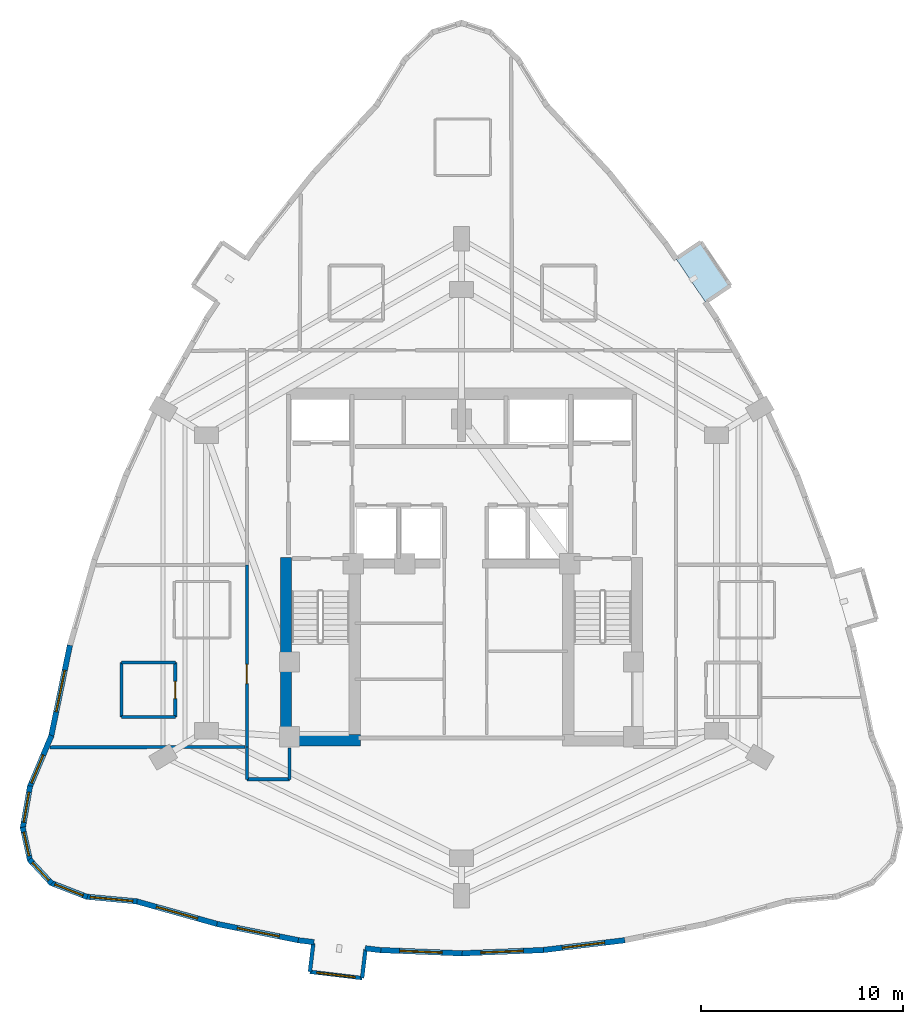
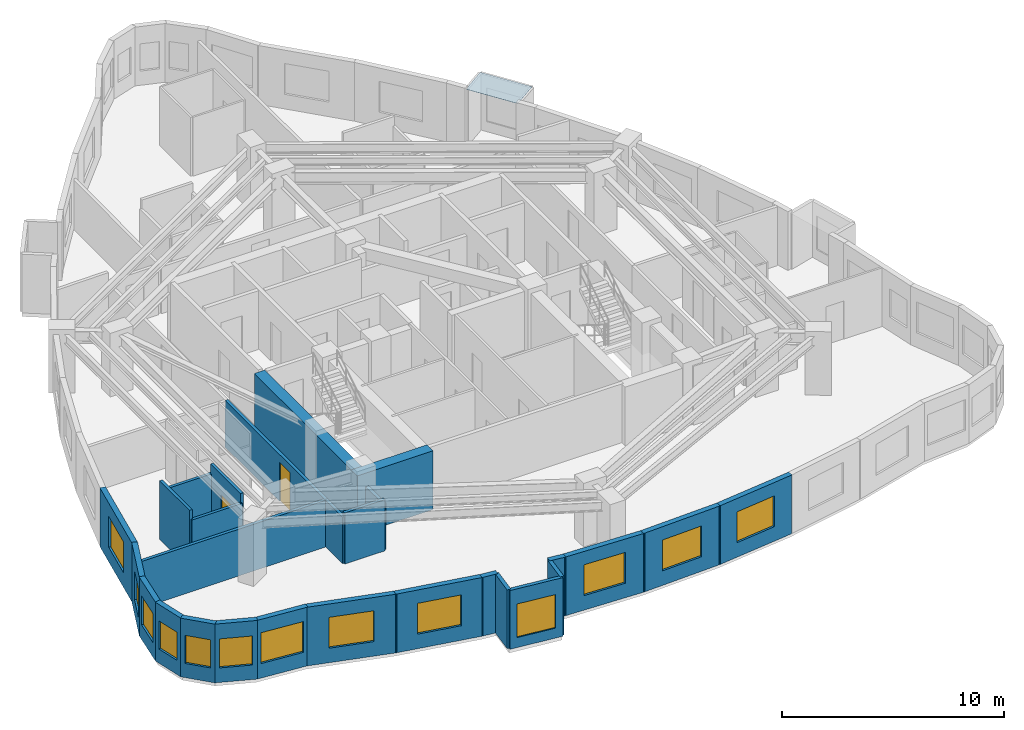
# One storey, part 3 of 9: 28 walls, 13 windows, 2 doors, 1 plate, 15 openings.
"""IFC4 building model written with IfcOpenShell, lengths in metres."""

from ifc_helpers import new_model, si_unit, direction, frame, frame_2d, origin, place, context, subcontext, project, spatial, polyline, rectangle, outline, extrude, material, layer, layer_set, type_object, element, fill, save


model = new_model("IFC4")

# Units and contexts
model_context = context("Model", 3, precision=1e-05, world=origin(), true_north=direction((0.0, 1.0)))
body_context = subcontext(model_context, "Body", "Model", "MODEL_VIEW")
ifc_project = project(units=[si_unit("LENGTHUNIT", "METRE"), si_unit("AREAUNIT", "SQUARE_METRE"), si_unit("VOLUMEUNIT", "CUBIC_METRE"), si_unit("PLANEANGLEUNIT", "RADIAN"), si_unit("MASSUNIT", "GRAM", prefix="KILO")], contexts=[model_context])

# Site, building, storey
site_placement = place(None, origin())
site = spatial("IfcSite", under=ifc_project, at=site_placement, CompositionType="ELEMENT")
building_placement = place(site_placement, origin())
building = spatial("IfcBuilding", under=site, at=building_placement, Name="Miruveldt Soraemaru", CompositionType="ELEMENT")
storey_placement = place(building_placement, frame((0.0, 0.0, 138.89990234375)))
storey = spatial("IfcBuildingStorey", under=building, at=storey_placement, Name="L38", CompositionType="ELEMENT", Elevation=138.89990234375)

# Plate
ifc_material_1 = material(Name="Standing-seam titanium-zinc sheet", Category="aluminium")
ifc_layer_1 = layer(ifc_material_1, 0.011962890625, Name="Standing-seam titanium-zinc sheet", Category="aluminium")
ifc_layer_set_1 = layer_set([ifc_layer_1], Name="Standing-seam titanium-zinc sheet")
plate_type = type_object("IfcPlateType", Name="PLT-ZINC-12", PredefinedType="SHEET", material=ifc_layer_set_1)
plate_placement = place(storey_placement, frame((0.0, 0.0, 3.085205078125)))
element("IfcPlate", 1, at=plate_placement, inside=storey, type_object=plate_type, Name="L38 Bay Window Zinc Hood Sheet 3", PredefinedType="SHEET", context=body_context, shape_type="SweptSolid", body=[
    extrude(outline(polyline([(56.0625, 56.968017578125), (54.604248046875, 59.120849609375), (55.82958984375, 59.95068359375), (57.28759765625, 57.798095703125), (56.0625, 56.968017578125)])), origin(), (0.0, 0.0, 1.0), 0.011962890625),
])

# Walls
ifc_material_2 = material(Name="White powder-coated aluminium EN AW-6060 T6", Category="aluminium")
ifc_layer_2 = layer(ifc_material_2, 0.18994140625, Name="White powder-coated aluminium EN AW-6060 T6", Category="aluminium")
ifc_layer_set_2 = layer_set([ifc_layer_2], Name="White powder-coated aluminium EN AW-6060 T6")
wall_type_1 = type_object("IfcWallType", Name="WALL-BAY-ALU190", PredefinedType="SOLIDWALL", material=ifc_layer_set_2)
for number, where, z_axis, x_axis, name in (
    (2, (36.677734375, 25.29931640625, 0.0), (0.0, 0.0, 1.0), (-0.119057405757, -0.992887372331, 0.0), "L38 Bay Window Side Cheek 1L"),
    (3, (39.089599609375, 23.574462890625, 0.0), (0.0, 0.0, 1.0), (0.119057405757, 0.992887372331, 0.0), "L38 Bay Window Side Cheek 1R"),
):
    element("IfcWall", number, at=place(storey_placement, frame(where, z_axis=z_axis, x_axis=x_axis)), inside=storey, type_object=wall_type_1, Name=name, PredefinedType="SOLIDWALL", context=body_context, shape_type="SweptSolid", body=[
        extrude(rectangle(XDim=1.42529296875, YDim=0.18994140625, at=frame_2d((0.712646484375, 0.0))), origin(), (0.0, 0.0, 1.0), 3.235107421875),
    ])

# Wall, opening, window
wall_1_placement = place(storey_placement, frame((36.508056640625, 23.88427734375, 0.0), z_axis=(0.0, 0.0, 1.0), x_axis=(0.99287550549, -0.119156328397, 0.0)))
wall_1 = element("IfcWall", 4, at=wall_1_placement, inside=storey, type_object=wall_type_1, Name="L38 Bay Window Front Frame 1", PredefinedType="SOLIDWALL", context=body_context, shape_type="SweptSolid", body=[
    extrude(rectangle(XDim=2.60009765625, YDim=0.18994140625, at=frame_2d((1.300048828125, 0.0))), origin(), (0.0, 0.0, 1.0), 3.235107421875),
])
opening_1_placement = place(wall_1_placement, frame((0.35009765625, 0.0, 0.550048828125)))
opening_1 = element("IfcOpeningElement", 5, at=opening_1_placement, cuts=wall_1, Name="Opening WN-6", PredefinedType="OPENING", context=body_context, shape_type="SweptSolid", body=[
    extrude(rectangle(XDim=1.89990234375, YDim=1.85009765625, at=frame_2d((0.949951171875, 0.925048828125))), frame((0.0, 0.10498046875, 0.0), z_axis=(0.0, -1.0, 0.0), x_axis=(1.0, 0.0, 0.0)), (0.0, 0.0, 1.0), 0.2099609375),
])
ifc_material_3 = material(Name="Triple low-e insulated glazing", Category="glass")
window_type_1 = type_object("IfcWindowType", Name="WIN-BAYW-1900x1850", PartitioningType="SINGLE_PANEL", PredefinedType="WINDOW", material=ifc_material_3)
window_1_placement = place(opening_1_placement, origin())
window_1 = element("IfcWindow", 6, at=window_1_placement, inside=storey, type_object=window_type_1, Name="L38 Projecting Bay Window 1", OverallHeight=1.85009765625, OverallWidth=1.89990234375, PartitioningType="SINGLE_PANEL", PredefinedType="WINDOW", context=body_context, shape_type="SweptSolid", body=[
    extrude(rectangle(XDim=1.89990234375, YDim=1.85009765625, at=frame_2d((0.949951171875, 0.925048828125))), frame((0.0, 0.030029296875, 0.0), z_axis=(0.0, -1.0, 0.0), x_axis=(1.0, 0.0, 0.0)), (0.0, 0.0, 1.0), 0.06005859375),
])
fill(opening_1, window_1)

# Walls
ifc_material_4 = material(Name="Concrete C70/85 (70 MPa)", Category="concrete")
ifc_layer_3 = layer(ifc_material_4, 0.550048828125, Name="Concrete C70/85 (70 MPa)", Category="concrete")
ifc_layer_set_3 = layer_set([ifc_layer_3], Name="Concrete C70/85 (70 MPa)")
wall_type_2 = type_object("IfcWallType", Name="WALL-CW-550", PredefinedType="SHEAR", material=ifc_layer_set_3)
wall_2_placement = place(storey_placement, frame((35.050048828125, 35.324951171875, 0.0), z_axis=(0.0, 0.0, 1.0), x_axis=(1.0, 0.0, 0.0)))
element("IfcWall", 7, at=wall_2_placement, inside=storey, type_object=wall_type_2, Name="L38 Central Core Shear Wall S1", PredefinedType="SHEAR", context=body_context, shape_type="SweptSolid", body=[
    extrude(rectangle(XDim=3.949951171875, YDim=0.550048828125, at=frame_2d((1.97509765625, 0.0))), origin(), (0.0, 0.0, 1.0), 3.235107421875),
])
wall_3_placement = place(storey_placement, frame((35.324951171875, 35.050048828125, 0.0), z_axis=(0.0, 0.0, 1.0), x_axis=(0.0, 1.0, 0.0)))
element("IfcWall", 8, at=wall_3_placement, inside=storey, type_object=wall_type_2, Name="L38 Central Core Shear Wall W1", PredefinedType="SHEAR", context=body_context, shape_type="SweptSolid", body=[
    extrude(rectangle(XDim=9.300048828125, YDim=0.550048828125, at=frame_2d((4.64990234375, 0.0))), origin(), (0.0, 0.0, 1.0), 3.235107421875),
])

# Wall, opening, window
ifc_material_5 = material(Name="Precast concrete C45/55 (45 MPa)", Category="concrete")
ifc_layer_4 = layer(ifc_material_5, 0.27001953125, Name="Precast concrete C45/55 (45 MPa)", Category="concrete")
ifc_layer_set_4 = layer_set([ifc_layer_4], Name="Precast concrete C45/55 (45 MPa)")
wall_type_3 = type_object("IfcWallType", Name="WALL-EXT-PC270", PredefinedType="SOLIDWALL", material=ifc_layer_set_4)
wall_4_placement = place(storey_placement, frame((24.6494140625, 40.02490234375, 0.0), z_axis=(0.0, 0.0, 1.0), x_axis=(-0.201588826085, -0.979470237015, 0.0)))
wall_4 = element("IfcWall", 9, at=wall_4_placement, inside=storey, type_object=wall_type_3, Name="L38 Precast Concrete Facade Wall 14", PredefinedType="SOLIDWALL", context=body_context, shape_type="SweptSolid", body=[
    extrude(rectangle(XDim=4.62158203125, YDim=0.27001953125, at=frame_2d((2.310791015625, 0.0))), origin(), (0.0, 0.0, 1.0), 3.235107421875),
])
opening_2_placement = place(wall_4_placement, frame((1.260986328125, 0.0, 0.800048828125)))
opening_2 = element("IfcOpeningElement", 10, at=opening_2_placement, cuts=wall_4, Name="Opening WN-1", PredefinedType="OPENING", context=body_context, shape_type="SweptSolid", body=[
    extrude(rectangle(XDim=2.10009765625, YDim=1.699951171875, at=frame_2d((1.050048828125, 0.85009765625))), frame((0.0, 0.14501953125, 0.0), z_axis=(0.0, -1.0, 0.0), x_axis=(1.0, 0.0, 0.0)), (0.0, 0.0, 1.0), 0.2900390625),
])
window_type_2 = type_object("IfcWindowType", Name="WIN-PUNCH-2100x1700", PartitioningType="SINGLE_PANEL", PredefinedType="WINDOW", material=ifc_material_3)
window_2_placement = place(opening_2_placement, origin())
window_2 = element("IfcWindow", 11, at=window_2_placement, inside=storey, type_object=window_type_2, Name="L38 Punched Triple-Glazed Window 14.1", OverallHeight=1.699951171875, OverallWidth=2.10009765625, PartitioningType="SINGLE_PANEL", PredefinedType="WINDOW", context=body_context, shape_type="SweptSolid", body=[
    extrude(rectangle(XDim=2.10009765625, YDim=1.699951171875, at=frame_2d((1.050048828125, 0.85009765625))), frame((0.0, 0.030029296875, 0.0), z_axis=(0.0, -1.0, 0.0), x_axis=(1.0, 0.0, 0.0)), (0.0, 0.0, 1.0), 0.06005859375),
])
fill(opening_2, window_2)

wall_5_placement = place(storey_placement, frame((23.73828125, 35.564697265625, 0.0), z_axis=(0.0, 0.0, 1.0), x_axis=(-0.38861888623, -0.921398589789, 0.0)))
wall_5 = element("IfcWall", 12, at=wall_5_placement, inside=storey, type_object=wall_type_3, Name="L38 Precast Concrete Facade Wall 15", PredefinedType="SOLIDWALL", context=body_context, shape_type="SweptSolid", body=[
    extrude(rectangle(XDim=2.77734375, YDim=0.27001953125, at=frame_2d((1.388671875, 0.0))), origin(), (0.0, 0.0, 1.0), 3.235107421875),
])
opening_3_placement = place(wall_5_placement, frame((1.047119140625, 0.0, 0.800048828125)))
opening_3 = element("IfcOpeningElement", 13, at=opening_3_placement, cuts=wall_5, Name="Opening WN-3", PredefinedType="OPENING", context=body_context, shape_type="SweptSolid", body=[
    extrude(rectangle(XDim=1.5, YDim=1.60009765625, at=frame_2d((0.75, 0.800048828125))), frame((0.0, 0.14501953125, 0.0), z_axis=(0.0, -1.0, 0.0), x_axis=(1.0, 0.0, 0.0)), (0.0, 0.0, 1.0), 0.2900390625),
])
window_type_3 = type_object("IfcWindowType", Name="WIN-PUNCH-1500x1600", PartitioningType="SINGLE_PANEL", PredefinedType="WINDOW", material=ifc_material_3)
window_3_placement = place(opening_3_placement, origin())
window_3 = element("IfcWindow", 14, at=window_3_placement, inside=storey, type_object=window_type_3, Name="L38 Punched Triple-Glazed Window 15.1", OverallHeight=1.60009765625, OverallWidth=1.5, PartitioningType="SINGLE_PANEL", PredefinedType="WINDOW", context=body_context, shape_type="SweptSolid", body=[
    extrude(rectangle(XDim=1.5, YDim=1.60009765625, at=frame_2d((0.75, 0.800048828125))), frame((0.0, 0.030029296875, 0.0), z_axis=(0.0, -1.0, 0.0), x_axis=(1.0, 0.0, 0.0)), (0.0, 0.0, 1.0), 0.06005859375),
])
fill(opening_3, window_3)

wall_6_placement = place(storey_placement, frame((22.678466796875, 33.072265625, 0.0), z_axis=(0.0, 0.0, 1.0), x_axis=(-0.169334105823, -0.985558704799, 0.0)))
wall_6 = element("IfcWall", 15, at=wall_6_placement, inside=storey, type_object=wall_type_3, Name="L38 Precast Concrete Facade Wall 16", PredefinedType="SOLIDWALL", context=body_context, shape_type="SweptSolid", body=[
    extrude(rectangle(XDim=2.14111328125, YDim=0.27001953125, at=frame_2d((1.070556640625, 0.0))), origin(), (0.0, 0.0, 1.0), 3.235107421875),
])
opening_4_placement = place(wall_6_placement, frame((0.321044921875, 0.0, 0.800048828125)))
opening_4 = element("IfcOpeningElement", 16, at=opening_4_placement, cuts=wall_6, Name="Opening WN-3", PredefinedType="OPENING", context=body_context, shape_type="SweptSolid", body=[
    extrude(rectangle(XDim=1.5, YDim=1.60009765625, at=frame_2d((0.75, 0.800048828125))), frame((0.0, 0.14501953125, 0.0), z_axis=(0.0, -1.0, 0.0), x_axis=(1.0, 0.0, 0.0)), (0.0, 0.0, 1.0), 0.2900390625),
])
window_4_placement = place(opening_4_placement, origin())
window_4 = element("IfcWindow", 17, at=window_4_placement, inside=storey, type_object=window_type_3, Name="L38 Punched Triple-Glazed Window 16.1", OverallHeight=1.60009765625, OverallWidth=1.5, PartitioningType="SINGLE_PANEL", PredefinedType="WINDOW", context=body_context, shape_type="SweptSolid", body=[
    extrude(rectangle(XDim=1.5, YDim=1.60009765625, at=frame_2d((0.75, 0.800048828125))), frame((0.0, 0.030029296875, 0.0), z_axis=(0.0, -1.0, 0.0), x_axis=(1.0, 0.0, 0.0)), (0.0, 0.0, 1.0), 0.06005859375),
])
fill(opening_4, window_4)

wall_7_placement = place(storey_placement, frame((22.314453125, 31.03076171875, 0.0), z_axis=(0.0, 0.0, 1.0), x_axis=(0.215649887065, -0.976470750309, 0.0)))
wall_7 = element("IfcWall", 18, at=wall_7_placement, inside=storey, type_object=wall_type_3, Name="L38 Precast Concrete Facade Wall 17", PredefinedType="SOLIDWALL", context=body_context, shape_type="SweptSolid", body=[
    extrude(rectangle(XDim=1.69580078125, YDim=0.27001953125, at=frame_2d((0.847900390625, 0.0))), origin(), (0.0, 0.0, 1.0), 3.235107421875),
])
opening_5_placement = place(wall_7_placement, frame((0.248046875, 0.0, 0.780029296875)))
opening_5 = element("IfcOpeningElement", 19, at=opening_5_placement, cuts=wall_7, Name="Opening WN-4", PredefinedType="OPENING", context=body_context, shape_type="SweptSolid", body=[
    extrude(rectangle(XDim=1.199951171875, YDim=1.550048828125, at=frame_2d((0.60009765625, 0.77490234375))), frame((0.0, 0.14501953125, 0.0), z_axis=(0.0, -1.0, 0.0), x_axis=(1.0, 0.0, 0.0)), (0.0, 0.0, 1.0), 0.2900390625),
])
window_type_4 = type_object("IfcWindowType", Name="WIN-PUNCH-1200x1550", PartitioningType="SINGLE_PANEL", PredefinedType="WINDOW", material=ifc_material_3)
window_5_placement = place(opening_5_placement, origin())
window_5 = element("IfcWindow", 20, at=window_5_placement, inside=storey, type_object=window_type_4, Name="L38 Punched Triple-Glazed Window 17.1", OverallHeight=1.550048828125, OverallWidth=1.199951171875, PartitioningType="SINGLE_PANEL", PredefinedType="WINDOW", context=body_context, shape_type="SweptSolid", body=[
    extrude(rectangle(XDim=1.199951171875, YDim=1.550048828125, at=frame_2d((0.60009765625, 0.77490234375))), frame((0.0, 0.030029296875, 0.0), z_axis=(0.0, -1.0, 0.0), x_axis=(1.0, 0.0, 0.0)), (0.0, 0.0, 1.0), 0.06005859375),
])
fill(opening_5, window_5)

wall_8_placement = place(storey_placement, frame((22.648681640625, 29.434814453125, 0.0), z_axis=(0.0, 0.0, 1.0), x_axis=(0.680115173662, -0.733105279312, 0.0)))
wall_8 = element("IfcWall", 21, at=wall_8_placement, inside=storey, type_object=wall_type_3, Name="L38 Precast Concrete Facade Wall 18", PredefinedType="SOLIDWALL", context=body_context, shape_type="SweptSolid", body=[
    extrude(rectangle(XDim=1.6171875, YDim=0.27001953125, at=frame_2d((0.80859375, 0.0))), origin(), (0.0, 0.0, 1.0), 3.235107421875),
])
opening_6_placement = place(wall_8_placement, frame((0.208984375, 0.0, 0.780029296875)))
opening_6 = element("IfcOpeningElement", 22, at=opening_6_placement, cuts=wall_8, Name="Opening WN-4", PredefinedType="OPENING", context=body_context, shape_type="SweptSolid", body=[
    extrude(rectangle(XDim=1.199951171875, YDim=1.550048828125, at=frame_2d((0.60009765625, 0.77490234375))), frame((0.0, 0.14501953125, 0.0), z_axis=(0.0, -1.0, 0.0), x_axis=(1.0, 0.0, 0.0)), (0.0, 0.0, 1.0), 0.2900390625),
])
window_6_placement = place(opening_6_placement, origin())
window_6 = element("IfcWindow", 23, at=window_6_placement, inside=storey, type_object=window_type_4, Name="L38 Punched Triple-Glazed Window 18.1", OverallHeight=1.550048828125, OverallWidth=1.199951171875, PartitioningType="SINGLE_PANEL", PredefinedType="WINDOW", context=body_context, shape_type="SweptSolid", body=[
    extrude(rectangle(XDim=1.199951171875, YDim=1.550048828125, at=frame_2d((0.60009765625, 0.77490234375))), frame((0.0, 0.030029296875, 0.0), z_axis=(0.0, -1.0, 0.0), x_axis=(1.0, 0.0, 0.0)), (0.0, 0.0, 1.0), 0.06005859375),
])
fill(opening_6, window_6)

wall_9_placement = place(storey_placement, frame((23.692138671875, 28.28759765625, 0.0), z_axis=(0.0, 0.0, 1.0), x_axis=(0.932267447774, -0.361769824364, 0.0)))
wall_9 = element("IfcWall", 24, at=wall_9_placement, inside=storey, type_object=wall_type_3, Name="L38 Precast Concrete Facade Wall 19", PredefinedType="SOLIDWALL", context=body_context, shape_type="SweptSolid", body=[
    extrude(rectangle(XDim=1.950927734375, YDim=0.27001953125, at=frame_2d((0.9755859375, 0.0))), origin(), (0.0, 0.0, 1.0), 3.235107421875),
])
opening_7_placement = place(wall_9_placement, frame((0.22509765625, 0.0, 0.800048828125)))
opening_7 = element("IfcOpeningElement", 25, at=opening_7_placement, cuts=wall_9, Name="Opening WN-3", PredefinedType="OPENING", context=body_context, shape_type="SweptSolid", body=[
    extrude(rectangle(XDim=1.5, YDim=1.60009765625, at=frame_2d((0.75, 0.800048828125))), frame((0.0, 0.14501953125, 0.0), z_axis=(0.0, -1.0, 0.0), x_axis=(1.0, 0.0, 0.0)), (0.0, 0.0, 1.0), 0.2900390625),
])
window_7_placement = place(opening_7_placement, origin())
window_7 = element("IfcWindow", 26, at=window_7_placement, inside=storey, type_object=window_type_3, Name="L38 Punched Triple-Glazed Window 19.1", OverallHeight=1.60009765625, OverallWidth=1.5, PartitioningType="SINGLE_PANEL", PredefinedType="WINDOW", context=body_context, shape_type="SweptSolid", body=[
    extrude(rectangle(XDim=1.5, YDim=1.60009765625, at=frame_2d((0.75, 0.800048828125))), frame((0.0, 0.030029296875, 0.0), z_axis=(0.0, -1.0, 0.0), x_axis=(1.0, 0.0, 0.0)), (0.0, 0.0, 1.0), 0.06005859375),
])
fill(opening_7, window_7)

wall_10_placement = place(storey_placement, frame((25.443603515625, 27.597900390625, 0.0), z_axis=(0.0, 0.0, 1.0), x_axis=(0.995754739811, -0.092046173976, 0.0)))
wall_10 = element("IfcWall", 27, at=wall_10_placement, inside=storey, type_object=wall_type_3, Name="L38 Precast Concrete Facade Wall 20", PredefinedType="SOLIDWALL", context=body_context, shape_type="SweptSolid", body=[
    extrude(rectangle(XDim=2.53564453125, YDim=0.27001953125, at=frame_2d((1.267822265625, 0.0))), origin(), (0.0, 0.0, 1.0), 3.235107421875),
])
opening_8_placement = place(wall_10_placement, frame((0.218017578125, 0.0, 0.800048828125)))
opening_8 = element("IfcOpeningElement", 28, at=opening_8_placement, cuts=wall_10, Name="Opening WN-1", PredefinedType="OPENING", context=body_context, shape_type="SweptSolid", body=[
    extrude(rectangle(XDim=2.10009765625, YDim=1.699951171875, at=frame_2d((1.050048828125, 0.85009765625))), frame((0.0, 0.14501953125, 0.0), z_axis=(0.0, -1.0, 0.0), x_axis=(1.0, 0.0, 0.0)), (0.0, 0.0, 1.0), 0.2900390625),
])
window_8_placement = place(opening_8_placement, origin())
window_8 = element("IfcWindow", 29, at=window_8_placement, inside=storey, type_object=window_type_2, Name="L38 Punched Triple-Glazed Window 20.1", OverallHeight=1.699951171875, OverallWidth=2.10009765625, PartitioningType="SINGLE_PANEL", PredefinedType="WINDOW", context=body_context, shape_type="SweptSolid", body=[
    extrude(rectangle(XDim=2.10009765625, YDim=1.699951171875, at=frame_2d((1.050048828125, 0.85009765625))), frame((0.0, 0.030029296875, 0.0), z_axis=(0.0, -1.0, 0.0), x_axis=(1.0, 0.0, 0.0)), (0.0, 0.0, 1.0), 0.06005859375),
])
fill(opening_8, window_8)

wall_11_placement = place(storey_placement, frame((27.89990234375, 27.377197265625, 0.0), z_axis=(0.0, 0.0, 1.0), x_axis=(0.962976574029, -0.269585084659, 0.0)))
wall_11 = element("IfcWall", 30, at=wall_11_placement, inside=storey, type_object=wall_type_3, Name="L38 Precast Concrete Facade Wall 21", PredefinedType="SOLIDWALL", context=body_context, shape_type="SweptSolid", body=[
    extrude(rectangle(XDim=4.240966796875, YDim=0.27001953125, at=frame_2d((2.12060546875, 0.0))), origin(), (0.0, 0.0, 1.0), 3.235107421875),
])
opening_9_placement = place(wall_11_placement, frame((1.070068359375, 0.0, 0.800048828125)))
opening_9 = element("IfcOpeningElement", 31, at=opening_9_placement, cuts=wall_11, Name="Opening WN-1", PredefinedType="OPENING", context=body_context, shape_type="SweptSolid", body=[
    extrude(rectangle(XDim=2.10009765625, YDim=1.699951171875, at=frame_2d((1.050048828125, 0.85009765625))), frame((0.0, 0.14501953125, 0.0), z_axis=(0.0, -1.0, 0.0), x_axis=(1.0, 0.0, 0.0)), (0.0, 0.0, 1.0), 0.2900390625),
])
window_9_placement = place(opening_9_placement, origin())
window_9 = element("IfcWindow", 32, at=window_9_placement, inside=storey, type_object=window_type_2, Name="L38 Punched Triple-Glazed Window 21.1", OverallHeight=1.699951171875, OverallWidth=2.10009765625, PartitioningType="SINGLE_PANEL", PredefinedType="WINDOW", context=body_context, shape_type="SweptSolid", body=[
    extrude(rectangle(XDim=2.10009765625, YDim=1.699951171875, at=frame_2d((1.050048828125, 0.85009765625))), frame((0.0, 0.030029296875, 0.0), z_axis=(0.0, -1.0, 0.0), x_axis=(1.0, 0.0, 0.0)), (0.0, 0.0, 1.0), 0.06005859375),
])
fill(opening_9, window_9)

wall_12_placement = place(storey_placement, frame((31.916015625, 26.25, 0.0), z_axis=(0.0, 0.0, 1.0), x_axis=(0.980587436878, -0.19608232617, 0.0)))
wall_12 = element("IfcWall", 33, at=wall_12_placement, inside=storey, type_object=wall_type_3, Name="L38 Precast Concrete Facade Wall 22", PredefinedType="SOLIDWALL", context=body_context, shape_type="SweptSolid", body=[
    extrude(rectangle(XDim=4.166015625, YDim=0.27001953125, at=frame_2d((2.0830078125, 0.0))), origin(), (0.0, 0.0, 1.0), 3.235107421875),
])
opening_10_placement = place(wall_12_placement, frame((1.032958984375, 0.0, 0.800048828125)))
opening_10 = element("IfcOpeningElement", 34, at=opening_10_placement, cuts=wall_12, Name="Opening WN-1", PredefinedType="OPENING", context=body_context, shape_type="SweptSolid", body=[
    extrude(rectangle(XDim=2.10009765625, YDim=1.699951171875, at=frame_2d((1.050048828125, 0.85009765625))), frame((0.0, 0.14501953125, 0.0), z_axis=(0.0, -1.0, 0.0), x_axis=(1.0, 0.0, 0.0)), (0.0, 0.0, 1.0), 0.2900390625),
])
window_10_placement = place(opening_10_placement, origin())
window_10 = element("IfcWindow", 35, at=window_10_placement, inside=storey, type_object=window_type_2, Name="L38 Punched Triple-Glazed Window 22.1", OverallHeight=1.699951171875, OverallWidth=2.10009765625, PartitioningType="SINGLE_PANEL", PredefinedType="WINDOW", context=body_context, shape_type="SweptSolid", body=[
    extrude(rectangle(XDim=2.10009765625, YDim=1.699951171875, at=frame_2d((1.050048828125, 0.85009765625))), frame((0.0, 0.030029296875, 0.0), z_axis=(0.0, -1.0, 0.0), x_axis=(1.0, 0.0, 0.0)), (0.0, 0.0, 1.0), 0.06005859375),
])
fill(opening_10, window_10)

# Walls
for number, where, z_axis, x_axis, name in (
    (36, (35.931884765625, 25.444091796875, 0.0), (0.0, 0.0, 1.0), (0.992857763718, -0.11930406961, 0.0), "L38 Precast Pier Wall 23A"),
    (37, (39.236083984375, 25.047607421875, 0.0), (0.0, 0.0, 1.0), (0.992857763718, -0.11930406961, 0.0), "L38 Precast Pier Wall 23B"),
):
    element("IfcWall", number, at=place(storey_placement, frame(where, z_axis=z_axis, x_axis=x_axis)), inside=storey, type_object=wall_type_3, Name=name, PredefinedType="SOLIDWALL", context=body_context, shape_type="SweptSolid", body=[
        extrude(rectangle(XDim=0.787841796875, YDim=0.27001953125, at=frame_2d((0.39404296875, 0.0))), origin(), (0.0, 0.0, 1.0), 3.235107421875),
    ])

# Wall, opening, window
wall_13_placement = place(storey_placement, frame((39.948486328125, 24.959228515625, 0.0), z_axis=(0.0, 0.0, 1.0), x_axis=(0.999202197948, -0.03993704567, 0.0)))
wall_13 = element("IfcWall", 38, at=wall_13_placement, inside=storey, type_object=wall_type_3, Name="L38 Precast Concrete Facade Wall 24", PredefinedType="SOLIDWALL", context=body_context, shape_type="SweptSolid", body=[
    extrude(rectangle(XDim=4.089599609375, YDim=0.27001953125, at=frame_2d((2.044921875, 0.0))), origin(), (0.0, 0.0, 1.0), 3.235107421875),
])
opening_11_placement = place(wall_13_placement, frame((0.9951171875, 0.0, 0.800048828125)))
opening_11 = element("IfcOpeningElement", 39, at=opening_11_placement, cuts=wall_13, Name="Opening WN-1", PredefinedType="OPENING", context=body_context, shape_type="SweptSolid", body=[
    extrude(rectangle(XDim=2.10009765625, YDim=1.699951171875, at=frame_2d((1.050048828125, 0.85009765625))), frame((0.0, 0.14501953125, 0.0), z_axis=(0.0, -1.0, 0.0), x_axis=(1.0, 0.0, 0.0)), (0.0, 0.0, 1.0), 0.2900390625),
])
window_11_placement = place(opening_11_placement, origin())
window_11 = element("IfcWindow", 40, at=window_11_placement, inside=storey, type_object=window_type_2, Name="L38 Punched Triple-Glazed Window 24.1", OverallHeight=1.699951171875, OverallWidth=2.10009765625, PartitioningType="SINGLE_PANEL", PredefinedType="WINDOW", context=body_context, shape_type="SweptSolid", body=[
    extrude(rectangle(XDim=2.10009765625, YDim=1.699951171875, at=frame_2d((1.050048828125, 0.85009765625))), frame((0.0, 0.030029296875, 0.0), z_axis=(0.0, -1.0, 0.0), x_axis=(1.0, 0.0, 0.0)), (0.0, 0.0, 1.0), 0.06005859375),
])
fill(opening_11, window_11)

wall_14_placement = place(storey_placement, frame((43.965087890625, 24.7958984375, 0.0), z_axis=(0.0, 0.0, 1.0), x_axis=(0.999202197948, 0.03993704567, 0.0)))
wall_14 = element("IfcWall", 41, at=wall_14_placement, inside=storey, type_object=wall_type_3, Name="L38 Precast Concrete Facade Wall 25", PredefinedType="SOLIDWALL", context=body_context, shape_type="SweptSolid", body=[
    extrude(rectangle(XDim=4.089599609375, YDim=0.27001953125, at=frame_2d((2.044921875, 0.0))), origin(), (0.0, 0.0, 1.0), 3.235107421875),
])
opening_12_placement = place(wall_14_placement, frame((0.9951171875, 0.0, 0.800048828125)))
opening_12 = element("IfcOpeningElement", 42, at=opening_12_placement, cuts=wall_14, Name="Opening WN-1", PredefinedType="OPENING", context=body_context, shape_type="SweptSolid", body=[
    extrude(rectangle(XDim=2.10009765625, YDim=1.699951171875, at=frame_2d((1.050048828125, 0.85009765625))), frame((0.0, 0.14501953125, 0.0), z_axis=(0.0, -1.0, 0.0), x_axis=(1.0, 0.0, 0.0)), (0.0, 0.0, 1.0), 0.2900390625),
])
window_12_placement = place(opening_12_placement, origin())
window_12 = element("IfcWindow", 43, at=window_12_placement, inside=storey, type_object=window_type_2, Name="L38 Punched Triple-Glazed Window 25.1", OverallHeight=1.699951171875, OverallWidth=2.10009765625, PartitioningType="SINGLE_PANEL", PredefinedType="WINDOW", context=body_context, shape_type="SweptSolid", body=[
    extrude(rectangle(XDim=2.10009765625, YDim=1.699951171875, at=frame_2d((1.050048828125, 0.85009765625))), frame((0.0, 0.030029296875, 0.0), z_axis=(0.0, -1.0, 0.0), x_axis=(1.0, 0.0, 0.0)), (0.0, 0.0, 1.0), 0.06005859375),
])
fill(opening_12, window_12)

wall_15_placement = place(storey_placement, frame((47.981689453125, 24.95361328125, 0.0), z_axis=(0.0, 0.0, 1.0), x_axis=(0.992873750595, 0.11917095023, 0.0)))
wall_15 = element("IfcWall", 44, at=wall_15_placement, inside=storey, type_object=wall_type_3, Name="L38 Precast Concrete Facade Wall 26", PredefinedType="SOLIDWALL", context=body_context, shape_type="SweptSolid", body=[
    extrude(rectangle(XDim=4.11572265625, YDim=0.27001953125, at=frame_2d((2.057861328125, 0.0))), origin(), (0.0, 0.0, 1.0), 3.235107421875),
])
opening_13_placement = place(wall_15_placement, frame((1.008056640625, 0.0, 0.800048828125)))
opening_13 = element("IfcOpeningElement", 45, at=opening_13_placement, cuts=wall_15, Name="Opening WN-1", PredefinedType="OPENING", context=body_context, shape_type="SweptSolid", body=[
    extrude(rectangle(XDim=2.10009765625, YDim=1.699951171875, at=frame_2d((1.050048828125, 0.85009765625))), frame((0.0, 0.14501953125, 0.0), z_axis=(0.0, -1.0, 0.0), x_axis=(1.0, 0.0, 0.0)), (0.0, 0.0, 1.0), 0.2900390625),
])
window_13_placement = place(opening_13_placement, origin())
window_13 = element("IfcWindow", 46, at=window_13_placement, inside=storey, type_object=window_type_2, Name="L38 Punched Triple-Glazed Window 26.1", OverallHeight=1.699951171875, OverallWidth=2.10009765625, PartitioningType="SINGLE_PANEL", PredefinedType="WINDOW", context=body_context, shape_type="SweptSolid", body=[
    extrude(rectangle(XDim=2.10009765625, YDim=1.699951171875, at=frame_2d((1.050048828125, 0.85009765625))), frame((0.0, 0.030029296875, 0.0), z_axis=(0.0, -1.0, 0.0), x_axis=(1.0, 0.0, 0.0)), (0.0, 0.0, 1.0), 0.06005859375),
])
fill(opening_13, window_13)

# Wall, opening, door
ifc_material_6 = material(Name="Gypsum plasterboard lining", Category="gypsum")
ifc_layer_5 = layer(ifc_material_6, 0.14990234375, Name="Gypsum plasterboard lining", Category="gypsum")
ifc_layer_set_5 = layer_set([ifc_layer_5], Name="Gypsum plasterboard lining")
wall_type_4 = type_object("IfcWallType", Name="WALL-INT-PLUMB", PredefinedType="PLUMBINGWALL", material=ifc_layer_set_5)
wall_16_placement = place(storey_placement, frame((29.85498046875, 36.47998046875, 0.0), z_axis=(0.0, 0.0, 1.0), x_axis=(0.0, 1.0, 0.0)))
wall_16 = element("IfcWall", 47, at=wall_16_placement, inside=storey, type_object=wall_type_4, Name="L38 Partition Wall 29", PredefinedType="PLUMBINGWALL", context=body_context, shape_type="SweptSolid", body=[
    extrude(rectangle(XDim=2.699951171875, YDim=0.14990234375, at=frame_2d((1.35009765625, 0.0))), origin(), (0.0, 0.0, 1.0), 3.235107421875),
])
opening_14_placement = place(wall_16_placement, frame((0.909912109375, 0.0, 0.0)))
opening_14 = element("IfcOpeningElement", 48, at=opening_14_placement, cuts=wall_16, Name="Opening FD3", PredefinedType="OPENING", context=body_context, shape_type="SweptSolid", body=[
    extrude(rectangle(XDim=0.85009765625, YDim=2.10009765625, at=frame_2d((0.425048828125, 1.050048828125))), frame((0.0, 0.0849609375, 0.0), z_axis=(0.0, -1.0, 0.0), x_axis=(1.0, 0.0, 0.0)), (0.0, 0.0, 1.0), 0.169921875),
])
ifc_material_7 = material(Name="Anodised aluminium EN AW-6063 T6", Category="aluminium")
door_type_1 = type_object("IfcDoorType", Name="DOOR-FD3-850", OperationType="NOTDEFINED", PredefinedType="DOOR", material=ifc_material_7)
door_1_placement = place(opening_14_placement, origin())
door_1 = element("IfcDoor", 49, at=door_1_placement, inside=storey, type_object=door_type_1, Name="L38 Unit 3805 BTH Door", OperationType="SINGLE_SWING_LEFT", OverallHeight=2.10009765625, OverallWidth=0.85009765625, PredefinedType="DOOR", context=body_context, shape_type="SweptSolid", body=[
    extrude(rectangle(XDim=0.85009765625, YDim=2.10009765625, at=frame_2d((0.425048828125, 1.050048828125))), frame((0.0, 0.02490234375, 0.0), z_axis=(0.0, -1.0, 0.0), x_axis=(1.0, 0.0, 0.0)), (0.0, 0.0, 1.0), 0.050048828125),
])
fill(opening_14, door_1)

# Walls
wall_17_placement = place(storey_placement, frame((27.205078125, 39.179931640625, 0.0), z_axis=(0.0, 0.0, 1.0), x_axis=(0.0, -1.0, 0.0)))
element("IfcWall", 50, at=wall_17_placement, inside=storey, type_object=wall_type_4, Name="L38 Partition Wall 31", PredefinedType="PLUMBINGWALL", context=body_context, shape_type="SweptSolid", body=[
    extrude(rectangle(XDim=2.699951171875, YDim=0.14990234375, at=frame_2d((1.35009765625, 0.0))), origin(), (0.0, 0.0, 1.0), 3.235107421875),
])
for number, where, z_axis, x_axis, name in (
    (51, (29.85498046875, 39.179931640625, 0.0), (0.0, 0.0, 1.0), (-1.0, 0.0, 0.0), "L38 Partition Wall 30"),
    (52, (27.205078125, 36.47998046875, 0.0), (0.0, 0.0, 1.0), (1.0, 0.0, 0.0), "L38 Partition Wall 32"),
):
    element("IfcWall", number, at=place(storey_placement, frame(where, z_axis=z_axis, x_axis=x_axis)), inside=storey, type_object=wall_type_4, Name=name, PredefinedType="PLUMBINGWALL", context=body_context, shape_type="SweptSolid", body=[
        extrude(rectangle(XDim=2.64990234375, YDim=0.14990234375, at=frame_2d((1.324951171875, 0.0))), origin(), (0.0, 0.0, 1.0), 2.72314453125),
    ])

# Wall, opening, door
ifc_material_8 = material(Name="Concrete C40/50 (40 MPa)", Category="concrete")
ifc_layer_6 = layer(ifc_material_8, 0.159912109375, Name="Concrete C40/50 (40 MPa)", Category="concrete")
ifc_layer_set_6 = layer_set([ifc_layer_6], Name="Concrete C40/50 (40 MPa)")
wall_type_5 = type_object("IfcWallType", Name="WALL-INT-RC160", PredefinedType="SOLIDWALL", material=ifc_layer_set_6)
wall_18_placement = place(storey_placement, frame((33.39990234375, 44.0, 0.0), z_axis=(0.0, 0.0, 1.0), x_axis=(0.0, -1.0, 0.0)))
wall_18 = element("IfcWall", 53, at=wall_18_placement, inside=storey, type_object=wall_type_5, Name="L38 Partition Wall 5", PredefinedType="SOLIDWALL", context=body_context, shape_type="SweptSolid", body=[
    extrude(rectangle(XDim=9.0, YDim=0.159912109375, at=frame_2d((4.5, 0.0))), origin(), (0.0, 0.0, 1.0), 2.572998046875),
])
opening_15_placement = place(wall_18_placement, frame((4.925048828125, 0.0, 0.0)))
opening_15 = element("IfcOpeningElement", 54, at=opening_15_placement, cuts=wall_18, Name="Opening FD2", PredefinedType="OPENING", context=body_context, shape_type="SweptSolid", body=[
    extrude(rectangle(XDim=0.949951171875, YDim=2.14990234375, at=frame_2d((0.47509765625, 1.074951171875))), frame((0.0, 0.08984375, 0.0), z_axis=(0.0, -1.0, 0.0), x_axis=(1.0, 0.0, 0.0)), (0.0, 0.0, 1.0), 0.179931640625),
])
door_type_2 = type_object("IfcDoorType", Name="DOOR-FD2-950", OperationType="NOTDEFINED", PredefinedType="DOOR", material=ifc_material_7)
door_2_placement = place(opening_15_placement, origin())
door_2 = element("IfcDoor", 55, at=door_2_placement, inside=storey, type_object=door_type_2, Name="L38 Unit 3805 Entrance Fire Door", OperationType="SINGLE_SWING_RIGHT", OverallHeight=2.14990234375, OverallWidth=0.949951171875, PredefinedType="DOOR", context=body_context, shape_type="SweptSolid", body=[
    extrude(rectangle(XDim=0.949951171875, YDim=2.14990234375, at=frame_2d((0.47509765625, 1.074951171875))), frame((0.0, 0.02490234375, 0.0), z_axis=(0.0, -1.0, 0.0), x_axis=(1.0, 0.0, 0.0)), (0.0, 0.0, 1.0), 0.050048828125),
])
fill(opening_15, door_2)

# Walls
wall_19_placement = place(storey_placement, frame((23.653076171875, 34.97607421875, 0.0), z_axis=(0.0, 0.0, 1.0), x_axis=(0.999996932096, 0.002477054302, 0.0)))
element("IfcWall", 56, at=wall_19_placement, inside=storey, type_object=wall_type_5, Name="L38 Partition Wall 37", PredefinedType="SOLIDWALL", context=body_context, shape_type="SweptSolid", body=[
    extrude(rectangle(XDim=9.658935546875, YDim=0.159912109375, at=frame_2d((4.82958984375, 0.0))), origin(), (0.0, 0.0, 1.0), 2.572998046875),
])
wall_20_placement = place(storey_placement, frame((33.39990234375, 33.39990234375, 0.0), z_axis=(0.0, 0.0, 1.0), x_axis=(1.0, 0.0, 0.0)))
element("IfcWall", 57, at=wall_20_placement, inside=storey, type_object=wall_type_5, Name="L38 Partition Wall 8", PredefinedType="SOLIDWALL", context=body_context, shape_type="SweptSolid", body=[
    extrude(rectangle(XDim=2.10009765625, YDim=0.159912109375, at=frame_2d((1.050048828125, 0.0))), origin(), (0.0, 0.0, 1.0), 2.822998046875),
])
wall_21_placement = place(storey_placement, frame((33.39990234375, 34.991943359375, 0.0), z_axis=(0.0, 0.0, 1.0), x_axis=(0.0, -1.0, 0.0)))
element("IfcWall", 58, at=wall_21_placement, inside=storey, type_object=wall_type_5, Name="L38 Partition Wall 7", PredefinedType="SOLIDWALL", context=body_context, shape_type="SweptSolid", body=[
    extrude(rectangle(XDim=1.592041015625, YDim=0.159912109375, at=frame_2d((0.7958984375, 0.0))), origin(), (0.0, 0.0, 1.0), 2.572998046875),
])
wall_22_placement = place(storey_placement, frame((35.5, 33.39990234375, 0.0), z_axis=(0.0, 0.0, 1.0), x_axis=(0.0, 1.0, 0.0)))
element("IfcWall", 59, at=wall_22_placement, inside=storey, type_object=wall_type_5, Name="L38 Partition Wall 9", PredefinedType="SOLIDWALL", context=body_context, shape_type="SweptSolid", body=[
    extrude(rectangle(XDim=1.5419921875, YDim=0.159912109375, at=frame_2d((0.77099609375, 0.0))), origin(), (0.0, 0.0, 1.0), 2.572998046875),
])

save(model, "model.ifc")
